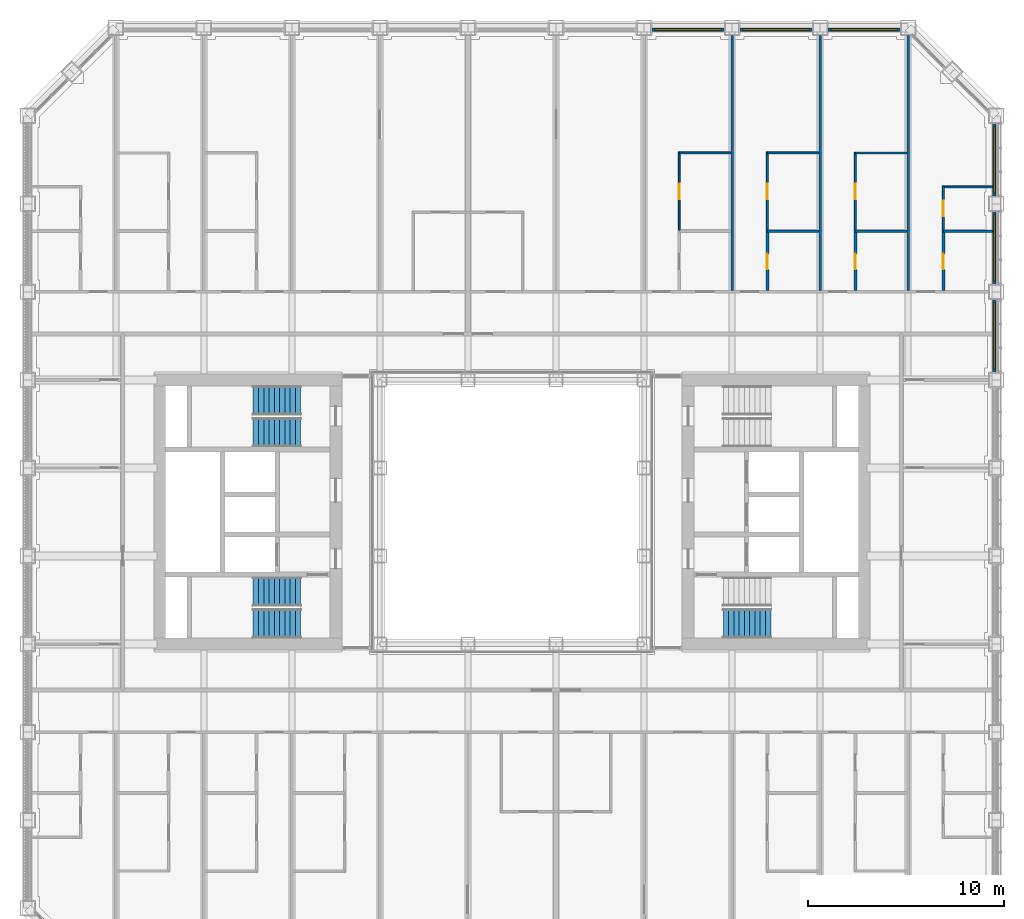
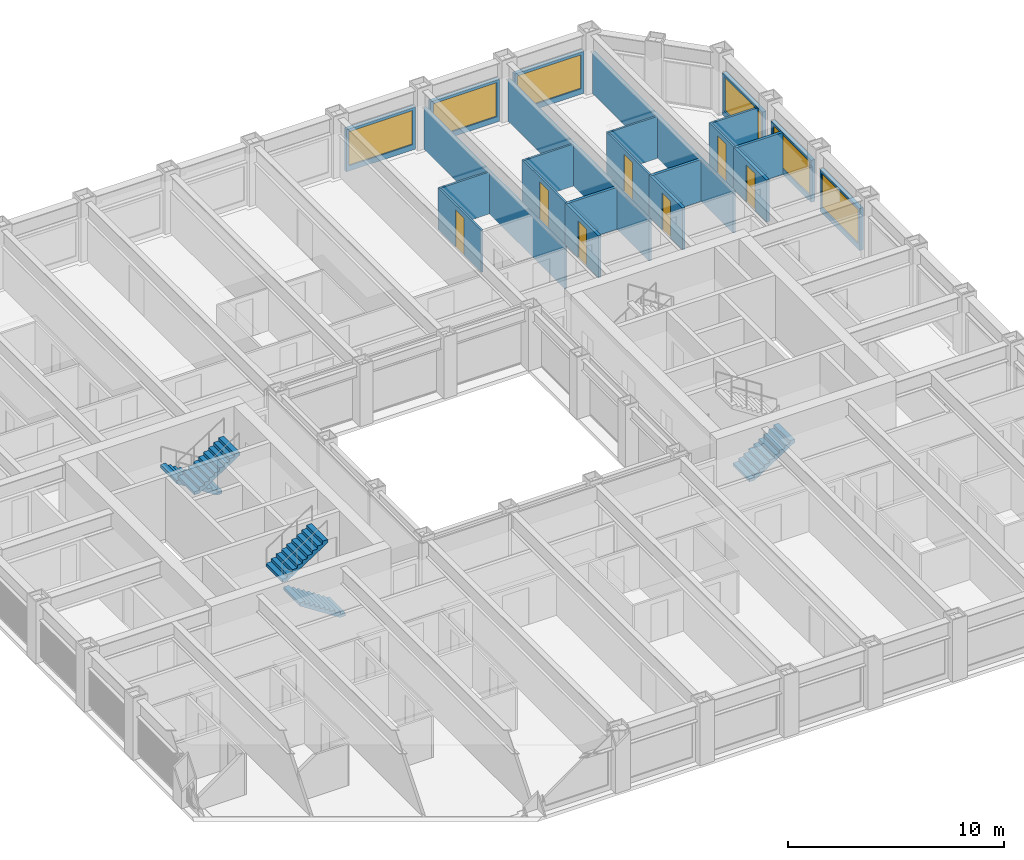
# One storey, part 15 of 21: 23 walls, 7 doors, 6 windows, 5 stair flights, 13 openings, 3 elements without a shape of their own.
"""IFC4 building model written with IfcOpenShell, lengths in metres."""

from ifc_helpers import new_model, si_unit, direction, frame, frame_2d, origin, place, context, subcontext, project, spatial, polyline, rectangle, outline, extrude, material, layer, layer_set, type_object, element, fill, aggregate, save


model = new_model("IFC4")

# Units and contexts
model_context = context("Model", 3, precision=1e-05, world=origin(), true_north=direction((0.0, 1.0)))
body_context = subcontext(model_context, "Body", "Model", "MODEL_VIEW")
ifc_project = project(units=[si_unit("LENGTHUNIT", "METRE"), si_unit("AREAUNIT", "SQUARE_METRE"), si_unit("VOLUMEUNIT", "CUBIC_METRE"), si_unit("PLANEANGLEUNIT", "RADIAN"), si_unit("MASSUNIT", "GRAM", prefix="KILO")], contexts=[model_context])

# Site, building, storey
site_placement = place(None, origin())
site = spatial("IfcSite", under=ifc_project, at=site_placement, CompositionType="ELEMENT")
building_placement = place(site_placement, origin())
building = spatial("IfcBuilding", under=site, at=building_placement, Name="Msasa Ring Tower", CompositionType="ELEMENT")
storey_placement = place(building_placement, frame((0.0, 0.0, 79.0)))
storey = spatial("IfcBuildingStorey", under=building, at=storey_placement, Name="L20", CompositionType="ELEMENT", Elevation=79.0)

# Wall, opening, window
ifc_material_1 = material(Name="Terracotta rainscreen on blockwork", Category="masonry")
ifc_layer_1 = layer(ifc_material_1, 0.199951171875)
ifc_layer_set_1 = layer_set([ifc_layer_1], Name="FW1 TERRACOTTA-LINED INFILL BAY WALL 200")
wall_type_1 = type_object("IfcWallType", Name="FW1 TERRACOTTA-LINED INFILL BAY WALL 200", PredefinedType="SOLIDWALL", material=ifc_layer_set_1)
wall_1_placement = place(storey_placement, frame((24.64990234375, 7.155029296875, 0.0), z_axis=(0.0, 0.0, 1.0), x_axis=(0.0, 1.0, 0.0)))
wall_1 = element("IfcWall", 1, at=wall_1_placement, inside=storey, type_object=wall_type_1, Name="Infill bay wall E L20 17", PredefinedType="SOLIDWALL", context=body_context, shape_type="SweptSolid", body=[
    extrude(rectangle(XDim=3.68994140625, YDim=0.199951171875, at=frame_2d((1.844970703125, 0.0))), origin(), (0.0, 0.0, 1.0), 2.37890625),
])
opening_1_placement = place(wall_1_placement, frame((0.14501953125, 0.0, 0.300048828125)))
opening_1 = element("IfcOpeningElement", 2, at=opening_1_placement, cuts=wall_1, Name="Opening WN1", PredefinedType="OPENING", context=body_context, shape_type="SweptSolid", body=[
    extrude(rectangle(XDim=3.39990234375, YDim=1.928955078125, at=frame_2d((1.699951171875, 0.96435546875))), frame((0.0, 0.10986328125, 0.0), z_axis=(0.0, -1.0, 0.0), x_axis=(1.0, 0.0, 0.0)), (0.0, 0.0, 1.0), 0.219970703125),
])
ifc_material_2 = material(Name="Aluminium frame with clear glass", Category="aluminium")
window_type = type_object("IfcWindowType", Name="WN1 RESIDENCE WINDOW 3400x1929", PartitioningType="SINGLE_PANEL", PredefinedType="WINDOW", material=ifc_material_2)
window_1_placement = place(opening_1_placement, origin())
window_1 = element("IfcWindow", 3, at=window_1_placement, inside=storey, type_object=window_type, Name="Window E L20 17", OverallHeight=1.928955078125, OverallWidth=3.39990234375, PartitioningType="SINGLE_PANEL", PredefinedType="WINDOW", context=body_context, shape_type="SweptSolid", body=[
    extrude(rectangle(XDim=3.39990234375, YDim=1.928955078125, at=frame_2d((1.699951171875, 0.96435546875))), frame((0.0, 0.030029296875, 0.0), z_axis=(0.0, -1.0, 0.0), x_axis=(1.0, 0.0, 0.0)), (0.0, 0.0, 1.0), 0.06005859375),
])
fill(opening_1, window_1)

wall_2_placement = place(storey_placement, frame((24.64990234375, 11.655029296875, 0.0), z_axis=(0.0, 0.0, 1.0), x_axis=(0.0, 1.0, 0.0)))
wall_2 = element("IfcWall", 4, at=wall_2_placement, inside=storey, type_object=wall_type_1, Name="Infill bay wall E L20 18", PredefinedType="SOLIDWALL", context=body_context, shape_type="SweptSolid", body=[
    extrude(rectangle(XDim=3.68994140625, YDim=0.199951171875, at=frame_2d((1.844970703125, 0.0))), origin(), (0.0, 0.0, 1.0), 2.37890625),
])
opening_2_placement = place(wall_2_placement, frame((0.14501953125, 0.0, 0.300048828125)))
opening_2 = element("IfcOpeningElement", 5, at=opening_2_placement, cuts=wall_2, Name="Opening WN1", PredefinedType="OPENING", context=body_context, shape_type="SweptSolid", body=[
    extrude(rectangle(XDim=3.39990234375, YDim=1.928955078125, at=frame_2d((1.699951171875, 0.96435546875))), frame((0.0, 0.10986328125, 0.0), z_axis=(0.0, -1.0, 0.0), x_axis=(1.0, 0.0, 0.0)), (0.0, 0.0, 1.0), 0.219970703125),
])
window_2_placement = place(opening_2_placement, origin())
window_2 = element("IfcWindow", 6, at=window_2_placement, inside=storey, type_object=window_type, Name="Window E L20 18", OverallHeight=1.928955078125, OverallWidth=3.39990234375, PartitioningType="SINGLE_PANEL", PredefinedType="WINDOW", context=body_context, shape_type="SweptSolid", body=[
    extrude(rectangle(XDim=3.39990234375, YDim=1.928955078125, at=frame_2d((1.699951171875, 0.96435546875))), frame((0.0, 0.030029296875, 0.0), z_axis=(0.0, -1.0, 0.0), x_axis=(1.0, 0.0, 0.0)), (0.0, 0.0, 1.0), 0.06005859375),
])
fill(opening_2, window_2)

wall_3_placement = place(storey_placement, frame((24.64990234375, 16.155029296875, 0.0), z_axis=(0.0, 0.0, 1.0), x_axis=(0.0, 1.0, 0.0)))
wall_3 = element("IfcWall", 7, at=wall_3_placement, inside=storey, type_object=wall_type_1, Name="Infill bay wall E L20 19", PredefinedType="SOLIDWALL", context=body_context, shape_type="SweptSolid", body=[
    extrude(rectangle(XDim=3.68994140625, YDim=0.199951171875, at=frame_2d((1.844970703125, 0.0))), origin(), (0.0, 0.0, 1.0), 2.37890625),
])
opening_3_placement = place(wall_3_placement, frame((0.14501953125, 0.0, 0.300048828125)))
opening_3 = element("IfcOpeningElement", 8, at=opening_3_placement, cuts=wall_3, Name="Opening WN1", PredefinedType="OPENING", context=body_context, shape_type="SweptSolid", body=[
    extrude(rectangle(XDim=3.39990234375, YDim=1.928955078125, at=frame_2d((1.699951171875, 0.96435546875))), frame((0.0, 0.10986328125, 0.0), z_axis=(0.0, -1.0, 0.0), x_axis=(1.0, 0.0, 0.0)), (0.0, 0.0, 1.0), 0.219970703125),
])
window_3_placement = place(opening_3_placement, origin())
window_3 = element("IfcWindow", 9, at=window_3_placement, inside=storey, type_object=window_type, Name="Window E L20 19", OverallHeight=1.928955078125, OverallWidth=3.39990234375, PartitioningType="SINGLE_PANEL", PredefinedType="WINDOW", context=body_context, shape_type="SweptSolid", body=[
    extrude(rectangle(XDim=3.39990234375, YDim=1.928955078125, at=frame_2d((1.699951171875, 0.96435546875))), frame((0.0, 0.030029296875, 0.0), z_axis=(0.0, -1.0, 0.0), x_axis=(1.0, 0.0, 0.0)), (0.0, 0.0, 1.0), 0.06005859375),
])
fill(opening_3, window_3)

wall_4_placement = place(storey_placement, frame((7.155029296875, 24.64990234375, 0.0), z_axis=(0.0, 0.0, 1.0), x_axis=(1.0, 0.0, 0.0)))
wall_4 = element("IfcWall", 10, at=wall_4_placement, inside=storey, type_object=wall_type_1, Name="Infill bay wall N L20 28", PredefinedType="SOLIDWALL", context=body_context, shape_type="SweptSolid", body=[
    extrude(rectangle(XDim=3.68994140625, YDim=0.199951171875, at=frame_2d((1.844970703125, 0.0))), origin(), (0.0, 0.0, 1.0), 2.37890625),
])
opening_4_placement = place(wall_4_placement, frame((0.14501953125, 0.0, 0.300048828125)))
opening_4 = element("IfcOpeningElement", 11, at=opening_4_placement, cuts=wall_4, Name="Opening WN1", PredefinedType="OPENING", context=body_context, shape_type="SweptSolid", body=[
    extrude(rectangle(XDim=3.39990234375, YDim=1.928955078125, at=frame_2d((1.699951171875, 0.96435546875))), frame((0.0, 0.10986328125, 0.0), z_axis=(0.0, -1.0, 0.0), x_axis=(1.0, 0.0, 0.0)), (0.0, 0.0, 1.0), 0.219970703125),
])
window_4_placement = place(opening_4_placement, origin())
window_4 = element("IfcWindow", 12, at=window_4_placement, inside=storey, type_object=window_type, Name="Window N L20 28", OverallHeight=1.928955078125, OverallWidth=3.39990234375, PartitioningType="SINGLE_PANEL", PredefinedType="WINDOW", context=body_context, shape_type="SweptSolid", body=[
    extrude(rectangle(XDim=3.39990234375, YDim=1.928955078125, at=frame_2d((1.699951171875, 0.96435546875))), frame((0.0, 0.030029296875, 0.0), z_axis=(0.0, -1.0, 0.0), x_axis=(1.0, 0.0, 0.0)), (0.0, 0.0, 1.0), 0.06005859375),
])
fill(opening_4, window_4)

wall_5_placement = place(storey_placement, frame((11.655029296875, 24.64990234375, 0.0), z_axis=(0.0, 0.0, 1.0), x_axis=(1.0, 0.0, 0.0)))
wall_5 = element("IfcWall", 13, at=wall_5_placement, inside=storey, type_object=wall_type_1, Name="Infill bay wall N L20 29", PredefinedType="SOLIDWALL", context=body_context, shape_type="SweptSolid", body=[
    extrude(rectangle(XDim=3.68994140625, YDim=0.199951171875, at=frame_2d((1.844970703125, 0.0))), origin(), (0.0, 0.0, 1.0), 2.37890625),
])
opening_5_placement = place(wall_5_placement, frame((0.14501953125, 0.0, 0.300048828125)))
opening_5 = element("IfcOpeningElement", 14, at=opening_5_placement, cuts=wall_5, Name="Opening WN1", PredefinedType="OPENING", context=body_context, shape_type="SweptSolid", body=[
    extrude(rectangle(XDim=3.39990234375, YDim=1.928955078125, at=frame_2d((1.699951171875, 0.96435546875))), frame((0.0, 0.10986328125, 0.0), z_axis=(0.0, -1.0, 0.0), x_axis=(1.0, 0.0, 0.0)), (0.0, 0.0, 1.0), 0.219970703125),
])
window_5_placement = place(opening_5_placement, origin())
window_5 = element("IfcWindow", 15, at=window_5_placement, inside=storey, type_object=window_type, Name="Window N L20 29", OverallHeight=1.928955078125, OverallWidth=3.39990234375, PartitioningType="SINGLE_PANEL", PredefinedType="WINDOW", context=body_context, shape_type="SweptSolid", body=[
    extrude(rectangle(XDim=3.39990234375, YDim=1.928955078125, at=frame_2d((1.699951171875, 0.96435546875))), frame((0.0, 0.030029296875, 0.0), z_axis=(0.0, -1.0, 0.0), x_axis=(1.0, 0.0, 0.0)), (0.0, 0.0, 1.0), 0.06005859375),
])
fill(opening_5, window_5)

wall_6_placement = place(storey_placement, frame((16.155029296875, 24.64990234375, 0.0), z_axis=(0.0, 0.0, 1.0), x_axis=(1.0, 0.0, 0.0)))
wall_6 = element("IfcWall", 16, at=wall_6_placement, inside=storey, type_object=wall_type_1, Name="Infill bay wall N L20 30", PredefinedType="SOLIDWALL", context=body_context, shape_type="SweptSolid", body=[
    extrude(rectangle(XDim=3.68994140625, YDim=0.199951171875, at=frame_2d((1.844970703125, 0.0))), origin(), (0.0, 0.0, 1.0), 2.37890625),
])
opening_6_placement = place(wall_6_placement, frame((0.14501953125, 0.0, 0.300048828125)))
opening_6 = element("IfcOpeningElement", 17, at=opening_6_placement, cuts=wall_6, Name="Opening WN1", PredefinedType="OPENING", context=body_context, shape_type="SweptSolid", body=[
    extrude(rectangle(XDim=3.39990234375, YDim=1.928955078125, at=frame_2d((1.699951171875, 0.96435546875))), frame((0.0, 0.10986328125, 0.0), z_axis=(0.0, -1.0, 0.0), x_axis=(1.0, 0.0, 0.0)), (0.0, 0.0, 1.0), 0.219970703125),
])
window_6_placement = place(opening_6_placement, origin())
window_6 = element("IfcWindow", 18, at=window_6_placement, inside=storey, type_object=window_type, Name="Window N L20 30", OverallHeight=1.928955078125, OverallWidth=3.39990234375, PartitioningType="SINGLE_PANEL", PredefinedType="WINDOW", context=body_context, shape_type="SweptSolid", body=[
    extrude(rectangle(XDim=3.39990234375, YDim=1.928955078125, at=frame_2d((1.699951171875, 0.96435546875))), frame((0.0, 0.030029296875, 0.0), z_axis=(0.0, -1.0, 0.0), x_axis=(1.0, 0.0, 0.0)), (0.0, 0.0, 1.0), 0.06005859375),
])
fill(opening_6, window_6)

# Wall, opening, door
ifc_material_3 = material(Name="Gypsum board on steel studs", Category="steel")
ifc_layer_2 = layer(ifc_material_3, 0.10009765625)
ifc_layer_set_2 = layer_set([ifc_layer_2], Name="PT2 STUD PARTITION 100")
wall_type_2 = type_object("IfcWallType", Name="PT2 STUD PARTITION 100", PredefinedType="PARTITIONING", material=ifc_layer_set_2)
wall_7_placement = place(storey_placement, frame((8.550048828125, 14.39990234375, 0.0), z_axis=(0.0, 0.0, 1.0), x_axis=(0.0, 1.0, 0.0)))
wall_7 = element("IfcWall", 19, at=wall_7_placement, inside=storey, type_object=wall_type_2, Name="Partition L20-VNEWX1", PredefinedType="PARTITIONING", context=body_context, shape_type="SweptSolid", body=[
    extrude(rectangle(XDim=4.003173828125, YDim=0.10009765625, at=frame_2d((2.00146484375, 0.0))), origin(), (0.0, 0.0, 1.0), 2.373291015625),
])
opening_7_placement = place(wall_7_placement, frame((1.576416015625, 0.0, 0.0)))
opening_7 = element("IfcOpeningElement", 20, at=opening_7_placement, cuts=wall_7, Name="Opening RF-005", PredefinedType="OPENING", context=body_context, shape_type="SweptSolid", body=[
    extrude(rectangle(XDim=0.800048828125, YDim=2.10009765625, at=frame_2d((0.39990234375, 1.050048828125))), frame((0.0, 0.06005859375, 0.0), z_axis=(0.0, -1.0, 0.0), x_axis=(1.0, 0.0, 0.0)), (0.0, 0.0, 1.0), 0.1201171875),
])
ifc_material_4 = material(Name="Timber door leaf in a steel frame", Category="steel")
door_type_1 = type_object("IfcDoorType", Name="D60 DRESSING ROOM DOOR 800x2100", OperationType="SINGLE_SWING_LEFT", PredefinedType="DOOR", material=ifc_material_4)
door_1_placement = place(opening_7_placement, origin())
door_1 = element("IfcDoor", 21, at=door_1_placement, inside=storey, type_object=door_type_1, Name="Door L20-VNEW1", OperationType="SINGLE_SWING_LEFT", OverallHeight=2.10009765625, OverallWidth=0.800048828125, PredefinedType="DOOR", context=body_context, shape_type="SweptSolid", body=[
    extrude(rectangle(XDim=0.800048828125, YDim=2.10009765625, at=frame_2d((0.39990234375, 1.050048828125))), frame((0.0, 0.02490234375, 0.0), z_axis=(0.0, -1.0, 0.0), x_axis=(1.0, 0.0, 0.0)), (0.0, 0.0, 1.0), 0.050048828125),
])
fill(opening_7, door_1)

# Wall
wall_8_placement = place(storey_placement, frame((8.550048828125, 18.35302734375, 0.0), z_axis=(0.0, 0.0, 1.0), x_axis=(1.0, 0.0, 0.0)))
element("IfcWall", 22, at=wall_8_placement, inside=storey, type_object=wall_type_2, Name="Partition L20-VNEWY1", PredefinedType="PARTITIONING", context=body_context, shape_type="SweptSolid", body=[
    extrude(rectangle(XDim=2.639892578125, YDim=0.10009765625, at=frame_2d((1.31982421875, 0.0))), origin(), (0.0, 0.0, 1.0), 2.373291015625),
])

# Wall, opening, door
wall_9_placement = place(storey_placement, frame((13.050048828125, 14.39990234375, 0.0), z_axis=(0.0, 0.0, 1.0), x_axis=(0.0, 1.0, 0.0)))
wall_9 = element("IfcWall", 23, at=wall_9_placement, inside=storey, type_object=wall_type_2, Name="Partition L20-VNEWX2", PredefinedType="PARTITIONING", context=body_context, shape_type="SweptSolid", body=[
    extrude(rectangle(XDim=4.003173828125, YDim=0.10009765625, at=frame_2d((2.00146484375, 0.0))), origin(), (0.0, 0.0, 1.0), 2.373291015625),
])
opening_8_placement = place(wall_9_placement, frame((1.576416015625, 0.0, 0.0)))
opening_8 = element("IfcOpeningElement", 24, at=opening_8_placement, cuts=wall_9, Name="Opening RF-006", PredefinedType="OPENING", context=body_context, shape_type="SweptSolid", body=[
    extrude(rectangle(XDim=0.800048828125, YDim=2.10009765625, at=frame_2d((0.39990234375, 1.050048828125))), frame((0.0, 0.06005859375, 0.0), z_axis=(0.0, -1.0, 0.0), x_axis=(1.0, 0.0, 0.0)), (0.0, 0.0, 1.0), 0.1201171875),
])
door_2_placement = place(opening_8_placement, origin())
door_2 = element("IfcDoor", 25, at=door_2_placement, inside=storey, type_object=door_type_1, Name="Door L20-VNEW2", OperationType="SINGLE_SWING_LEFT", OverallHeight=2.10009765625, OverallWidth=0.800048828125, PredefinedType="DOOR", context=body_context, shape_type="SweptSolid", body=[
    extrude(rectangle(XDim=0.800048828125, YDim=2.10009765625, at=frame_2d((0.39990234375, 1.050048828125))), frame((0.0, 0.02490234375, 0.0), z_axis=(0.0, -1.0, 0.0), x_axis=(1.0, 0.0, 0.0)), (0.0, 0.0, 1.0), 0.050048828125),
])
fill(opening_8, door_2)

# Wall
wall_10_placement = place(storey_placement, frame((13.050048828125, 18.35302734375, 0.0), z_axis=(0.0, 0.0, 1.0), x_axis=(1.0, 0.0, 0.0)))
element("IfcWall", 26, at=wall_10_placement, inside=storey, type_object=wall_type_2, Name="Partition L20-VNEWY2", PredefinedType="PARTITIONING", context=body_context, shape_type="SweptSolid", body=[
    extrude(rectangle(XDim=2.639892578125, YDim=0.10009765625, at=frame_2d((1.31982421875, 0.0))), origin(), (0.0, 0.0, 1.0), 2.373291015625),
])

# Wall, opening, door
wall_11_placement = place(storey_placement, frame((17.550048828125, 14.39990234375, 0.0), z_axis=(0.0, 0.0, 1.0), x_axis=(0.0, 1.0, 0.0)))
wall_11 = element("IfcWall", 27, at=wall_11_placement, inside=storey, type_object=wall_type_2, Name="Partition L20-VNEWX3", PredefinedType="PARTITIONING", context=body_context, shape_type="SweptSolid", body=[
    extrude(rectangle(XDim=4.00048828125, YDim=0.10009765625, at=frame_2d((2.000244140625, 0.0))), origin(), (0.0, 0.0, 1.0), 2.373291015625),
])
opening_9_placement = place(wall_11_placement, frame((1.5751953125, 0.0, 0.0)))
opening_9 = element("IfcOpeningElement", 28, at=opening_9_placement, cuts=wall_11, Name="Opening RF-007", PredefinedType="OPENING", context=body_context, shape_type="SweptSolid", body=[
    extrude(rectangle(XDim=0.800048828125, YDim=2.10009765625, at=frame_2d((0.39990234375, 1.050048828125))), frame((0.0, 0.06005859375, 0.0), z_axis=(0.0, -1.0, 0.0), x_axis=(1.0, 0.0, 0.0)), (0.0, 0.0, 1.0), 0.1201171875),
])
door_3_placement = place(opening_9_placement, origin())
door_3 = element("IfcDoor", 29, at=door_3_placement, inside=storey, type_object=door_type_1, Name="Door L20-VNEW3", OperationType="SINGLE_SWING_LEFT", OverallHeight=2.10009765625, OverallWidth=0.800048828125, PredefinedType="DOOR", context=body_context, shape_type="SweptSolid", body=[
    extrude(rectangle(XDim=0.800048828125, YDim=2.10009765625, at=frame_2d((0.39990234375, 1.050048828125))), frame((0.0, 0.02490234375, 0.0), z_axis=(0.0, -1.0, 0.0), x_axis=(1.0, 0.0, 0.0)), (0.0, 0.0, 1.0), 0.050048828125),
])
fill(opening_9, door_3)

# Wall
wall_12_placement = place(storey_placement, frame((17.550048828125, 18.350341796875, 0.0), z_axis=(0.0, 0.0, 1.0), x_axis=(1.0, 0.0, 0.0)))
element("IfcWall", 30, at=wall_12_placement, inside=storey, type_object=wall_type_2, Name="Partition L20-VNEWY3", PredefinedType="PARTITIONING", context=body_context, shape_type="SweptSolid", body=[
    extrude(rectangle(XDim=2.639892578125, YDim=0.10009765625, at=frame_2d((1.31982421875, 0.0))), origin(), (0.0, 0.0, 1.0), 2.373291015625),
])

# Wall, opening, door
wall_13_placement = place(storey_placement, frame((22.050048828125, 14.39990234375, 0.0), z_axis=(0.0, 0.0, 1.0), x_axis=(0.0, 1.0, 0.0)))
wall_13 = element("IfcWall", 31, at=wall_13_placement, inside=storey, type_object=wall_type_2, Name="Partition L20-VNEWX4", PredefinedType="PARTITIONING", context=body_context, shape_type="SweptSolid", body=[
    extrude(rectangle(XDim=2.273681640625, YDim=0.10009765625, at=frame_2d((1.13671875, 0.0))), origin(), (0.0, 0.0, 1.0), 2.373291015625),
])
opening_10_placement = place(wall_13_placement, frame((0.7119140625, 0.0, 0.0)))
opening_10 = element("IfcOpeningElement", 32, at=opening_10_placement, cuts=wall_13, Name="Opening RF-009", PredefinedType="OPENING", context=body_context, shape_type="SweptSolid", body=[
    extrude(rectangle(XDim=0.800048828125, YDim=2.10009765625, at=frame_2d((0.39990234375, 1.050048828125))), frame((0.0, 0.06005859375, 0.0), z_axis=(0.0, -1.0, 0.0), x_axis=(1.0, 0.0, 0.0)), (0.0, 0.0, 1.0), 0.1201171875),
])
door_4_placement = place(opening_10_placement, origin())
door_4 = element("IfcDoor", 33, at=door_4_placement, inside=storey, type_object=door_type_1, Name="Door L20-VNEW4", OperationType="SINGLE_SWING_LEFT", OverallHeight=2.10009765625, OverallWidth=0.800048828125, PredefinedType="DOOR", context=body_context, shape_type="SweptSolid", body=[
    extrude(rectangle(XDim=0.800048828125, YDim=2.10009765625, at=frame_2d((0.39990234375, 1.050048828125))), frame((0.0, 0.02490234375, 0.0), z_axis=(0.0, -1.0, 0.0), x_axis=(1.0, 0.0, 0.0)), (0.0, 0.0, 1.0), 0.050048828125),
])
fill(opening_10, door_4)

# Wall
wall_14_placement = place(storey_placement, frame((22.050048828125, 16.62353515625, 0.0), z_axis=(0.0, 0.0, 1.0), x_axis=(1.0, 0.0, 0.0)))
element("IfcWall", 34, at=wall_14_placement, inside=storey, type_object=wall_type_2, Name="Partition L20-VNEWY4", PredefinedType="PARTITIONING", context=body_context, shape_type="SweptSolid", body=[
    extrude(rectangle(XDim=2.5, YDim=0.10009765625, at=frame_2d((1.25, 0.0))), origin(), (0.0, 0.0, 1.0), 2.373291015625),
])

# Wall, opening, door
ifc_material_5 = material(Name="Moisture-resistant board on steel studs with a concealed cistern and pipe void, tiled", Category="steel")
ifc_layer_3 = layer(ifc_material_5, 0.14990234375)
ifc_layer_set_3 = layer_set([ifc_layer_3], Name="PT4 BATHROOM WET WALL 150")
wall_type_3 = type_object("IfcWallType", Name="PT4 BATHROOM WET WALL 150", PredefinedType="PARTITIONING", material=ifc_layer_set_3)
wall_15_placement = place(storey_placement, frame((13.050048828125, 11.3125, 0.0), z_axis=(0.0, 0.0, 1.0), x_axis=(0.0, 1.0, 0.0)))
wall_15 = element("IfcWall", 35, at=wall_15_placement, inside=storey, type_object=wall_type_3, Name="Partition L20-VNEBX2", PredefinedType="PARTITIONING", context=body_context, shape_type="SweptSolid", body=[
    extrude(rectangle(XDim=3.08740234375, YDim=0.14990234375, at=frame_2d((1.543701171875, 0.0))), origin(), (0.0, 0.0, 1.0), 2.373291015625),
])
opening_11_placement = place(wall_15_placement, frame((1.08740234375, 0.0, 0.0)))
opening_11 = element("IfcOpeningElement", 36, at=opening_11_placement, cuts=wall_15, Name="Opening RF-016", PredefinedType="OPENING", context=body_context, shape_type="SweptSolid", body=[
    extrude(rectangle(XDim=0.800048828125, YDim=2.10009765625, at=frame_2d((0.39990234375, 1.050048828125))), frame((0.0, 0.0849609375, 0.0), z_axis=(0.0, -1.0, 0.0), x_axis=(1.0, 0.0, 0.0)), (0.0, 0.0, 1.0), 0.169921875),
])
ifc_material_6 = material(Name="Timber door leaf in a steel frame", Category="steel")
door_type_2 = type_object("IfcDoorType", Name="D21 POCKET SLIDING BATHROOM DOOR 800x2100", OperationType="SINGLE_SWING_LEFT", PredefinedType="DOOR", material=ifc_material_6)
door_5_placement = place(opening_11_placement, origin())
door_5 = element("IfcDoor", 37, at=door_5_placement, inside=storey, type_object=door_type_2, Name="Door L20-VNEB2", OperationType="SINGLE_SWING_LEFT", OverallHeight=2.10009765625, OverallWidth=0.800048828125, PredefinedType="DOOR", context=body_context, shape_type="SweptSolid", body=[
    extrude(rectangle(XDim=0.800048828125, YDim=2.10009765625, at=frame_2d((0.39990234375, 1.050048828125))), frame((0.0, 0.02490234375, 0.0), z_axis=(0.0, -1.0, 0.0), x_axis=(1.0, 0.0, 0.0)), (0.0, 0.0, 1.0), 0.050048828125),
])
fill(opening_11, door_5)

# Wall
wall_16_placement = place(storey_placement, frame((13.050048828125, 14.35009765625, 0.0), z_axis=(0.0, 0.0, 1.0), x_axis=(1.0, 0.0, 0.0)))
element("IfcWall", 38, at=wall_16_placement, inside=storey, type_object=wall_type_3, Name="Partition L20-VNEBY2", PredefinedType="PARTITIONING", context=body_context, shape_type="SweptSolid", body=[
    extrude(rectangle(XDim=2.639892578125, YDim=0.14990234375, at=frame_2d((1.31982421875, 0.0))), origin(), (0.0, 0.0, 1.0), 2.373291015625),
])

# Wall, opening, door
wall_17_placement = place(storey_placement, frame((17.550048828125, 11.3125, 0.0), z_axis=(0.0, 0.0, 1.0), x_axis=(0.0, 1.0, 0.0)))
wall_17 = element("IfcWall", 39, at=wall_17_placement, inside=storey, type_object=wall_type_3, Name="Partition L20-VNEBX3", PredefinedType="PARTITIONING", context=body_context, shape_type="SweptSolid", body=[
    extrude(rectangle(XDim=3.08740234375, YDim=0.14990234375, at=frame_2d((1.543701171875, 0.0))), origin(), (0.0, 0.0, 1.0), 2.373291015625),
])
opening_12_placement = place(wall_17_placement, frame((1.08740234375, 0.0, 0.0)))
opening_12 = element("IfcOpeningElement", 40, at=opening_12_placement, cuts=wall_17, Name="Opening RF-017", PredefinedType="OPENING", context=body_context, shape_type="SweptSolid", body=[
    extrude(rectangle(XDim=0.800048828125, YDim=2.10009765625, at=frame_2d((0.39990234375, 1.050048828125))), frame((0.0, 0.0849609375, 0.0), z_axis=(0.0, -1.0, 0.0), x_axis=(1.0, 0.0, 0.0)), (0.0, 0.0, 1.0), 0.169921875),
])
door_6_placement = place(opening_12_placement, origin())
door_6 = element("IfcDoor", 41, at=door_6_placement, inside=storey, type_object=door_type_2, Name="Door L20-VNEB3", OperationType="SINGLE_SWING_LEFT", OverallHeight=2.10009765625, OverallWidth=0.800048828125, PredefinedType="DOOR", context=body_context, shape_type="SweptSolid", body=[
    extrude(rectangle(XDim=0.800048828125, YDim=2.10009765625, at=frame_2d((0.39990234375, 1.050048828125))), frame((0.0, 0.02490234375, 0.0), z_axis=(0.0, -1.0, 0.0), x_axis=(1.0, 0.0, 0.0)), (0.0, 0.0, 1.0), 0.050048828125),
])
fill(opening_12, door_6)

# Wall
wall_18_placement = place(storey_placement, frame((17.550048828125, 14.35009765625, 0.0), z_axis=(0.0, 0.0, 1.0), x_axis=(1.0, 0.0, 0.0)))
element("IfcWall", 42, at=wall_18_placement, inside=storey, type_object=wall_type_3, Name="Partition L20-VNEBY3", PredefinedType="PARTITIONING", context=body_context, shape_type="SweptSolid", body=[
    extrude(rectangle(XDim=2.639892578125, YDim=0.14990234375, at=frame_2d((1.31982421875, 0.0))), origin(), (0.0, 0.0, 1.0), 2.373291015625),
])

# Wall, opening, door
wall_19_placement = place(storey_placement, frame((22.050048828125, 11.3125, 0.0), z_axis=(0.0, 0.0, 1.0), x_axis=(0.0, 1.0, 0.0)))
wall_19 = element("IfcWall", 43, at=wall_19_placement, inside=storey, type_object=wall_type_3, Name="Partition L20-VNEBX4", PredefinedType="PARTITIONING", context=body_context, shape_type="SweptSolid", body=[
    extrude(rectangle(XDim=3.08740234375, YDim=0.14990234375, at=frame_2d((1.543701171875, 0.0))), origin(), (0.0, 0.0, 1.0), 2.373291015625),
])
opening_13_placement = place(wall_19_placement, frame((1.08740234375, 0.0, 0.0)))
opening_13 = element("IfcOpeningElement", 44, at=opening_13_placement, cuts=wall_19, Name="Opening RF-018", PredefinedType="OPENING", context=body_context, shape_type="SweptSolid", body=[
    extrude(rectangle(XDim=0.800048828125, YDim=2.10009765625, at=frame_2d((0.39990234375, 1.050048828125))), frame((0.0, 0.0849609375, 0.0), z_axis=(0.0, -1.0, 0.0), x_axis=(1.0, 0.0, 0.0)), (0.0, 0.0, 1.0), 0.169921875),
])
door_7_placement = place(opening_13_placement, origin())
door_7 = element("IfcDoor", 45, at=door_7_placement, inside=storey, type_object=door_type_2, Name="Door L20-VNEB4", OperationType="SINGLE_SWING_LEFT", OverallHeight=2.10009765625, OverallWidth=0.800048828125, PredefinedType="DOOR", context=body_context, shape_type="SweptSolid", body=[
    extrude(rectangle(XDim=0.800048828125, YDim=2.10009765625, at=frame_2d((0.39990234375, 1.050048828125))), frame((0.0, 0.02490234375, 0.0), z_axis=(0.0, -1.0, 0.0), x_axis=(1.0, 0.0, 0.0)), (0.0, 0.0, 1.0), 0.050048828125),
])
fill(opening_13, door_7)

# Walls
wall_20_placement = place(storey_placement, frame((22.050048828125, 14.35009765625, 0.0), z_axis=(0.0, 0.0, 1.0), x_axis=(1.0, 0.0, 0.0)))
element("IfcWall", 46, at=wall_20_placement, inside=storey, type_object=wall_type_3, Name="Partition L20-VNEBY4", PredefinedType="PARTITIONING", context=body_context, shape_type="SweptSolid", body=[
    extrude(rectangle(XDim=2.5, YDim=0.14990234375, at=frame_2d((1.25, 0.0))), origin(), (0.0, 0.0, 1.0), 2.373291015625),
])
ifc_material_7 = material(Name="Two layers of acoustic board each face on steel studs, mineral wool", Category="steel")
ifc_layer_4 = layer(ifc_material_7, 0.125)
ifc_layer_set_4 = layer_set([ifc_layer_4], Name="PT6 ACOUSTIC DOUBLE-BOARD PARTITION 125")
wall_type_4 = type_object("IfcWallType", Name="PT6 ACOUSTIC DOUBLE-BOARD PARTITION 125", PredefinedType="PARTITIONING", material=ifc_layer_set_4)
for number, where, z_axis, x_axis, name in (
    (47, (11.25, 11.3125, 0.0), (0.0, 0.0, 1.0), (0.0, 1.0, 0.0), "Partition L20-VNEP2"),
    (48, (15.75, 11.3125, 0.0), (0.0, 0.0, 1.0), (0.0, 1.0, 0.0), "Partition L20-VNEP3"),
    (49, (20.25, 11.3125, 0.0), (0.0, 0.0, 1.0), (0.0, 1.0, 0.0), "Partition L20-VNEP4"),
):
    element("IfcWall", number, at=place(storey_placement, frame(where, z_axis=z_axis, x_axis=x_axis)), inside=storey, type_object=wall_type_4, Name=name, PredefinedType="PARTITIONING", context=body_context, shape_type="SweptSolid", body=[
        extrude(rectangle(XDim=13.03759765625, YDim=0.125, at=frame_2d((6.518798828125, 0.0))), origin(), (0.0, 0.0, 1.0), 2.373291015625),
    ])

# Stair, stair flight
ifc_material_8 = material(Name="Concrete C40/50", Category="concrete")
stair_type = type_object("IfcStairType", Name="STC CORE STAIR 20 RISERS 175", PredefinedType="HALF_TURN_STAIR", material=ifc_material_8)
stair_1_placement = place(storey_placement, origin())
stair_1 = element("IfcStair", 50, at=stair_1_placement, inside=storey, type_object=stair_type, Name="Core stair SEA L20", PredefinedType="HALF_TURN_STAIR")
ifc_material_9 = material(Name="Concrete C40/50", Category="concrete")
stair_flight_type = type_object("IfcStairFlightType", Name="ST12 CORE STAIR FLIGHT 1500 10 RISERS 175", PredefinedType="STRAIGHT", material=ifc_material_9)
stair_flight_1_placement = place(storey_placement, frame((10.800048828125, -5.699951171875, 0.0), z_axis=(0.0, 0.0, 1.0), x_axis=(1.0, 0.0, 0.0)))
stair_flight_1 = element("IfcStairFlight", 51, at=stair_flight_1_placement, type_object=stair_flight_type, Name="SEA flight 1", NumberOfRisers=10, NumberOfTreads=9, PredefinedType="STRAIGHT", RiserHeight=0.175, TreadLength=0.27, context=body_context, shape_type="SweptSolid", body=[
    extrude(outline(polyline([(0.0, 0.0), (0.0, 0.175048828125), (0.27001953125, 0.175048828125), (0.27001953125, 0.35009765625), (0.5400390625, 0.35009765625), (0.5400390625, 0.52490234375), (0.81005859375, 0.52490234375), (0.81005859375, 0.699951171875), (1.080078125, 0.699951171875), (1.080078125, 0.875), (1.35009765625, 0.875), (1.35009765625, 1.050048828125), (1.6201171875, 1.050048828125), (1.6201171875, 1.22509765625), (1.889892578125, 1.22509765625), (1.889892578125, 1.39990234375), (2.159912109375, 1.39990234375), (2.159912109375, 1.574951171875), (2.429931640625, 1.574951171875), (2.429931640625, 1.75), (2.429931640625, 1.396484375), (0.275634765625, 0.0), (0.0, 0.0)])), frame((0.0, 0.75, 0.0), z_axis=(0.0, -1.0, 0.0), x_axis=(1.0, 0.0, 0.0)), (0.0, 0.0, 1.0), 1.5),
])
aggregate(stair_1, [stair_flight_1])

# Stair, stair flights
stair_2_placement = place(storey_placement, origin())
stair_2 = element("IfcStair", 52, at=stair_2_placement, inside=storey, type_object=stair_type, Name="Core stair SWA L20", PredefinedType="HALF_TURN_STAIR")
stair_flight_2_placement = place(storey_placement, frame((-10.800048828125, -5.699951171875, 0.0), z_axis=(0.0, 0.0, 1.0), x_axis=(-1.0, 0.0, 0.0)))
stair_flight_2 = element("IfcStairFlight", 53, at=stair_flight_2_placement, type_object=stair_flight_type, Name="SWA flight 1", NumberOfRisers=10, NumberOfTreads=9, PredefinedType="STRAIGHT", RiserHeight=0.175, TreadLength=0.27, context=body_context, shape_type="SweptSolid", body=[
    extrude(outline(polyline([(0.0, 0.0), (0.0, 0.175048828125), (0.27001953125, 0.175048828125), (0.27001953125, 0.35009765625), (0.5400390625, 0.35009765625), (0.5400390625, 0.52490234375), (0.81005859375, 0.52490234375), (0.81005859375, 0.699951171875), (1.080078125, 0.699951171875), (1.080078125, 0.875), (1.35009765625, 0.875), (1.35009765625, 1.050048828125), (1.6201171875, 1.050048828125), (1.6201171875, 1.22509765625), (1.889892578125, 1.22509765625), (1.889892578125, 1.39990234375), (2.159912109375, 1.39990234375), (2.159912109375, 1.574951171875), (2.429931640625, 1.574951171875), (2.429931640625, 1.75), (2.429931640625, 1.396484375), (0.275634765625, 0.0), (0.0, 0.0)])), frame((0.0, 0.75, 0.0), z_axis=(0.0, -1.0, 0.0), x_axis=(1.0, 0.0, 0.0)), (0.0, 0.0, 1.0), 1.5),
])
stair_flight_3_placement = place(storey_placement, frame((-13.22998046875, -4.074951171875, 1.75), z_axis=(0.0, 0.0, 1.0), x_axis=(1.0, 0.0, 0.0)))
stair_flight_3 = element("IfcStairFlight", 54, at=stair_flight_3_placement, type_object=stair_flight_type, Name="SWA flight 2", NumberOfRisers=10, NumberOfTreads=9, PredefinedType="STRAIGHT", RiserHeight=0.175, TreadLength=0.27, context=body_context, shape_type="SweptSolid", body=[
    extrude(outline(polyline([(0.0, 0.0), (0.0, 0.175048828125), (0.27001953125, 0.175048828125), (0.27001953125, 0.35009765625), (0.5400390625, 0.35009765625), (0.5400390625, 0.52490234375), (0.81005859375, 0.52490234375), (0.81005859375, 0.699951171875), (1.080078125, 0.699951171875), (1.080078125, 0.875), (1.35009765625, 0.875), (1.35009765625, 1.050048828125), (1.6201171875, 1.050048828125), (1.6201171875, 1.22509765625), (1.889892578125, 1.22509765625), (1.889892578125, 1.39990234375), (2.159912109375, 1.39990234375), (2.159912109375, 1.574951171875), (2.429931640625, 1.574951171875), (2.429931640625, 1.75), (2.429931640625, 1.396484375), (0.275634765625, 0.0), (0.0, 0.0)])), frame((0.0, 0.75, 0.0), z_axis=(0.0, -1.0, 0.0), x_axis=(1.0, 0.0, 0.0)), (0.0, 0.0, 1.0), 1.5),
])
aggregate(stair_2, [stair_flight_2, stair_flight_3])

stair_3_placement = place(storey_placement, origin())
stair_3 = element("IfcStair", 55, at=stair_3_placement, inside=storey, type_object=stair_type, Name="Core stair SWB L20", PredefinedType="HALF_TURN_STAIR")
stair_flight_4_placement = place(storey_placement, frame((-10.800048828125, 5.699951171875, 0.0), z_axis=(0.0, 0.0, 1.0), x_axis=(-1.0, 0.0, 0.0)))
stair_flight_4 = element("IfcStairFlight", 56, at=stair_flight_4_placement, type_object=stair_flight_type, Name="SWB flight 1", NumberOfRisers=10, NumberOfTreads=9, PredefinedType="STRAIGHT", RiserHeight=0.175, TreadLength=0.27, context=body_context, shape_type="SweptSolid", body=[
    extrude(outline(polyline([(0.0, 0.0), (0.0, 0.175048828125), (0.27001953125, 0.175048828125), (0.27001953125, 0.35009765625), (0.5400390625, 0.35009765625), (0.5400390625, 0.52490234375), (0.81005859375, 0.52490234375), (0.81005859375, 0.699951171875), (1.080078125, 0.699951171875), (1.080078125, 0.875), (1.35009765625, 0.875), (1.35009765625, 1.050048828125), (1.6201171875, 1.050048828125), (1.6201171875, 1.22509765625), (1.889892578125, 1.22509765625), (1.889892578125, 1.39990234375), (2.159912109375, 1.39990234375), (2.159912109375, 1.574951171875), (2.429931640625, 1.574951171875), (2.429931640625, 1.75), (2.429931640625, 1.396484375), (0.275634765625, 0.0), (0.0, 0.0)])), frame((0.0, 0.75, 0.0), z_axis=(0.0, -1.0, 0.0), x_axis=(1.0, 0.0, 0.0)), (0.0, 0.0, 1.0), 1.5),
])
stair_flight_5_placement = place(storey_placement, frame((-13.22998046875, 4.074951171875, 1.75), z_axis=(0.0, 0.0, 1.0), x_axis=(1.0, 0.0, 0.0)))
stair_flight_5 = element("IfcStairFlight", 57, at=stair_flight_5_placement, type_object=stair_flight_type, Name="SWB flight 2", NumberOfRisers=10, NumberOfTreads=9, PredefinedType="STRAIGHT", RiserHeight=0.175, TreadLength=0.27, context=body_context, shape_type="SweptSolid", body=[
    extrude(outline(polyline([(0.0, 0.0), (0.0, 0.175048828125), (0.27001953125, 0.175048828125), (0.27001953125, 0.35009765625), (0.5400390625, 0.35009765625), (0.5400390625, 0.52490234375), (0.81005859375, 0.52490234375), (0.81005859375, 0.699951171875), (1.080078125, 0.699951171875), (1.080078125, 0.875), (1.35009765625, 0.875), (1.35009765625, 1.050048828125), (1.6201171875, 1.050048828125), (1.6201171875, 1.22509765625), (1.889892578125, 1.22509765625), (1.889892578125, 1.39990234375), (2.159912109375, 1.39990234375), (2.159912109375, 1.574951171875), (2.429931640625, 1.574951171875), (2.429931640625, 1.75), (2.429931640625, 1.396484375), (0.275634765625, 0.0), (0.0, 0.0)])), frame((0.0, 0.75, 0.0), z_axis=(0.0, -1.0, 0.0), x_axis=(1.0, 0.0, 0.0)), (0.0, 0.0, 1.0), 1.5),
])
aggregate(stair_3, [stair_flight_4, stair_flight_5])

save(model, "model.ifc")
